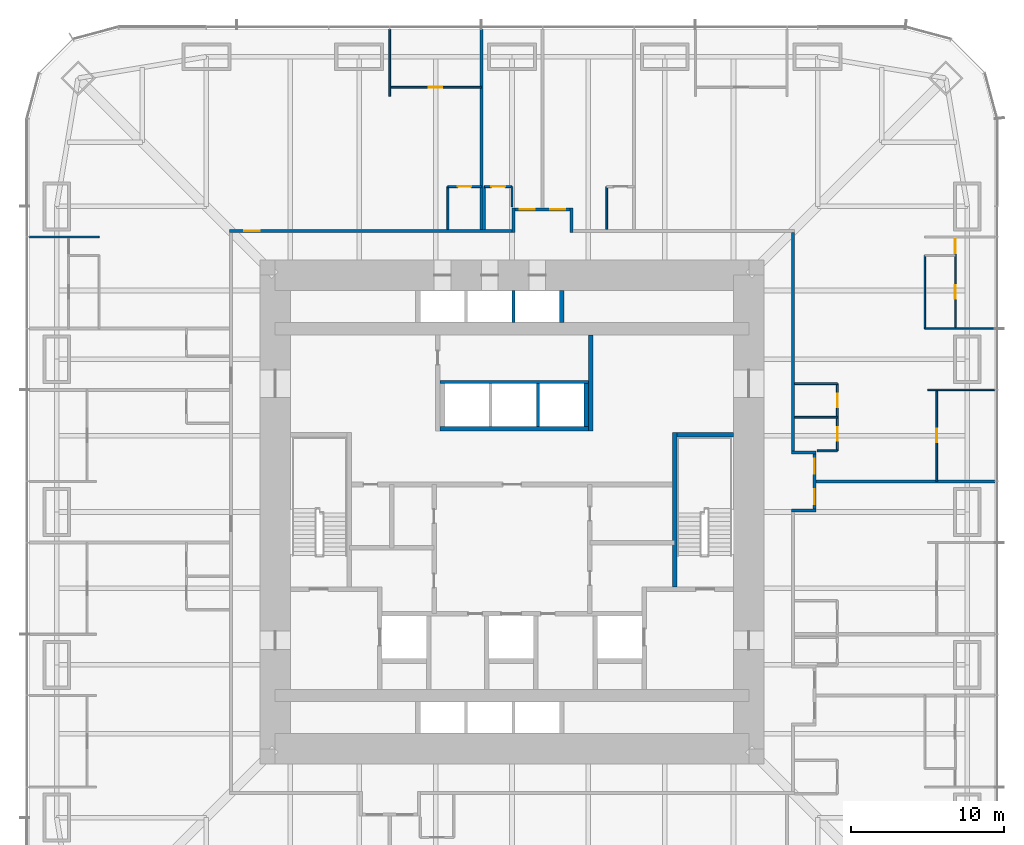
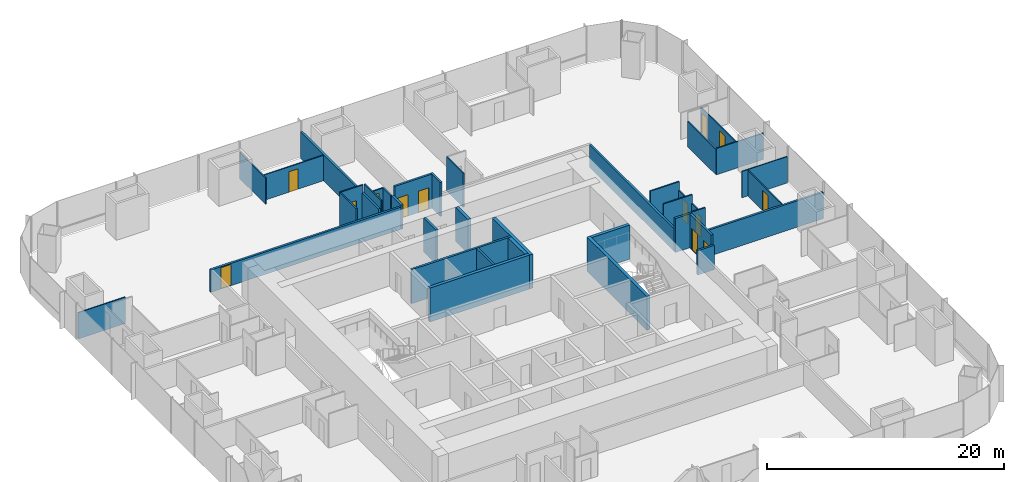
# One storey, part 15 of 17: 37 walls, 13 doors, 13 openings.
"""IFC4 building model written with IfcOpenShell, lengths in metres."""

from ifc_helpers import new_model, si_unit, direction, frame, frame_2d, origin, place, context, subcontext, project, spatial, rectangle, extrude, material, layer, layer_set, type_object, element, fill, save


model = new_model("IFC4")

# Units and contexts
model_context = context("Model", 3, precision=1e-05, world=origin(), true_north=direction((0.0, 1.0)))
body_context = subcontext(model_context, "Body", "Model", "MODEL_VIEW")
ifc_project = project(units=[si_unit("LENGTHUNIT", "METRE"), si_unit("AREAUNIT", "SQUARE_METRE"), si_unit("VOLUMEUNIT", "CUBIC_METRE"), si_unit("PLANEANGLEUNIT", "RADIAN"), si_unit("MASSUNIT", "GRAM", prefix="KILO")], contexts=[model_context])

# Site, building, storey
site_placement = place(None, origin())
site = spatial("IfcSite", under=ifc_project, at=site_placement, CompositionType="ELEMENT")
building_placement = place(site_placement, origin())
building = spatial("IfcBuilding", under=site, at=building_placement, Name="Khuree Lantern Residences", CompositionType="ELEMENT")
storey_placement = place(building_placement, frame((0.0, 0.0, 43.5)))
storey = spatial("IfcBuildingStorey", under=building, at=storey_placement, Name="L10", CompositionType="ELEMENT", Elevation=43.5)

# Wall, openings, doors
ifc_material_1 = material(Name="Moisture-resistant gypsum board on steel studs", Category="steel")
ifc_layer_1 = layer(ifc_material_1, 0.125)
ifc_layer_set_1 = layer_set([ifc_layer_1], Name="BATHROOM WALL BTW125")
wall_type_1 = type_object("IfcWallType", Name="BATHROOM WALL BTW125", PredefinedType="PARTITIONING", material=ifc_layer_set_1)
wall_1_placement = place(storey_placement, frame((21.300048828125, 4.0, 0.0), z_axis=(0.0, 0.0, 1.0), x_axis=(0.0, 1.0, 0.0)))
wall_1 = element("IfcWall", 1, at=wall_1_placement, inside=storey, type_object=wall_type_1, Name="L10 BATHROOM WALL 02", PredefinedType="PARTITIONING", context=body_context, shape_type="SweptSolid", body=[
    extrude(rectangle(XDim=4.39990234375, YDim=0.125, at=frame_2d((2.199951171875, 0.0))), origin(), (0.0, 0.0, 1.0), 2.610107421875),
])
opening_1_placement = place(wall_1_placement, frame((0.64990234375, 0.0, 0.0)))
opening_1 = element("IfcOpeningElement", 2, at=opening_1_placement, cuts=wall_1, Name="Opening 10-029", PredefinedType="OPENING", context=body_context, shape_type="SweptSolid", body=[
    extrude(rectangle(XDim=0.89990234375, YDim=2.10009765625, at=frame_2d((0.449951171875, 1.050048828125))), frame((0.0, 0.072509765625, 0.0), z_axis=(0.0, -1.0, 0.0), x_axis=(1.0, 0.0, 0.0)), (0.0, 0.0, 1.0), 0.14501953125),
])
opening_2_placement = place(wall_1_placement, frame((2.85009765625, 0.0, 0.0)))
opening_2 = element("IfcOpeningElement", 3, at=opening_2_placement, cuts=wall_1, Name="Opening 10-030", PredefinedType="OPENING", context=body_context, shape_type="SweptSolid", body=[
    extrude(rectangle(XDim=0.89990234375, YDim=2.10009765625, at=frame_2d((0.449951171875, 1.050048828125))), frame((0.0, 0.072509765625, 0.0), z_axis=(0.0, -1.0, 0.0), x_axis=(1.0, 0.0, 0.0)), (0.0, 0.0, 1.0), 0.14501953125),
])
ifc_material_2 = material(Name="Timber door leaf in hardwood frame", Category="wood")
door_type_1 = type_object("IfcDoorType", Name="BATHROOM DOOR 900X2100", OperationType="SINGLE_SWING_LEFT", PredefinedType="DOOR", material=ifc_material_2)
door_1_placement = place(opening_1_placement, origin())
door_1 = element("IfcDoor", 4, at=door_1_placement, inside=storey, type_object=door_type_1, Name="Bathroom door 10-029", OperationType="SINGLE_SWING_LEFT", OverallHeight=2.10009765625, OverallWidth=0.89990234375, PredefinedType="DOOR", context=body_context, shape_type="SweptSolid", body=[
    extrude(rectangle(XDim=0.89990234375, YDim=2.10009765625, at=frame_2d((0.449951171875, 1.050048828125))), frame((0.0, 0.02490234375, 0.0), z_axis=(0.0, -1.0, 0.0), x_axis=(1.0, 0.0, 0.0)), (0.0, 0.0, 1.0), 0.050048828125),
])
fill(opening_1, door_1)
door_2_placement = place(opening_2_placement, origin())
door_2 = element("IfcDoor", 5, at=door_2_placement, inside=storey, type_object=door_type_1, Name="Bathroom door 10-030", OperationType="SINGLE_SWING_LEFT", OverallHeight=2.10009765625, OverallWidth=0.89990234375, PredefinedType="DOOR", context=body_context, shape_type="SweptSolid", body=[
    extrude(rectangle(XDim=0.89990234375, YDim=2.10009765625, at=frame_2d((0.449951171875, 1.050048828125))), frame((0.0, 0.02490234375, 0.0), z_axis=(0.0, -1.0, 0.0), x_axis=(1.0, 0.0, 0.0)), (0.0, 0.0, 1.0), 0.050048828125),
])
fill(opening_2, door_2)

# Walls
wall_2_placement = place(storey_placement, frame((19.969970703125, 4.0, 0.0), z_axis=(0.0, 0.0, 1.0), x_axis=(1.0, 0.0, 0.0)))
element("IfcWall", 6, at=wall_2_placement, inside=storey, type_object=wall_type_1, Name="L10 BATHROOM WALL 02", PredefinedType="PARTITIONING", context=body_context, shape_type="SweptSolid", body=[
    extrude(rectangle(XDim=1.330078125, YDim=0.125, at=frame_2d((0.6650390625, 0.0))), origin(), (0.0, 0.0, 1.0), 3.5),
])
for number, where, z_axis, x_axis, name in (
    (7, (18.5, 6.199951171875, 0.0), (0.0, 0.0, 1.0), (1.0, 0.0, 0.0), "L10 BATHROOM WALL 02"),
    (8, (18.5, 8.39990234375, 0.0), (0.0, 0.0, 1.0), (1.0, 0.0, 0.0), "L10 BATHROOM WALL 02"),
    (9, (6.199951171875, 18.5, 0.0), (0.0, 0.0, 1.0), (0.0, 1.0, 0.0), "L10 BATHROOM WALL 03"),
):
    element("IfcWall", number, at=place(storey_placement, frame(where, z_axis=z_axis, x_axis=x_axis)), inside=storey, type_object=wall_type_1, Name=name, PredefinedType="PARTITIONING", context=body_context, shape_type="SweptSolid", body=[
        extrude(rectangle(XDim=2.800048828125, YDim=0.125, at=frame_2d((1.39990234375, 0.0))), origin(), (0.0, 0.0, 1.0), 3.5),
    ])

# Wall, opening, door
wall_3_placement = place(storey_placement, frame((0.0, 21.300048828125, 0.0), z_axis=(0.0, 0.0, 1.0), x_axis=(-1.0, 0.0, 0.0)))
wall_3 = element("IfcWall", 10, at=wall_3_placement, inside=storey, type_object=wall_type_1, Name="L10 BATHROOM WALL 04", PredefinedType="PARTITIONING", context=body_context, shape_type="SweptSolid", body=[
    extrude(rectangle(XDim=1.800048828125, YDim=0.125, at=frame_2d((0.89990234375, 0.0))), origin(), (0.0, 0.0, 1.0), 2.491943359375),
])
opening_3_placement = place(wall_3_placement, frame((0.449951171875, 0.0, 0.0)))
opening_3 = element("IfcOpeningElement", 11, at=opening_3_placement, cuts=wall_3, Name="Opening 10-034", PredefinedType="OPENING", context=body_context, shape_type="SweptSolid", body=[
    extrude(rectangle(XDim=0.89990234375, YDim=2.10009765625, at=frame_2d((0.449951171875, 1.050048828125))), frame((0.0, 0.072509765625, 0.0), z_axis=(0.0, -1.0, 0.0), x_axis=(1.0, 0.0, 0.0)), (0.0, 0.0, 1.0), 0.14501953125),
])
door_3_placement = place(opening_3_placement, origin())
door_3 = element("IfcDoor", 12, at=door_3_placement, inside=storey, type_object=door_type_1, Name="Bathroom door 10-034", OperationType="SINGLE_SWING_LEFT", OverallHeight=2.10009765625, OverallWidth=0.89990234375, PredefinedType="DOOR", context=body_context, shape_type="SweptSolid", body=[
    extrude(rectangle(XDim=0.89990234375, YDim=2.10009765625, at=frame_2d((0.449951171875, 1.050048828125))), frame((0.0, 0.02490234375, 0.0), z_axis=(0.0, -1.0, 0.0), x_axis=(1.0, 0.0, 0.0)), (0.0, 0.0, 1.0), 0.050048828125),
])
fill(opening_3, door_3)

# Walls
wall_4_placement = place(storey_placement, frame((0.0, 19.969970703125, 0.0), z_axis=(0.0, 0.0, 1.0), x_axis=(0.0, 1.0, 0.0)))
element("IfcWall", 13, at=wall_4_placement, inside=storey, type_object=wall_type_1, Name="L10 BATHROOM WALL 04", PredefinedType="PARTITIONING", context=body_context, shape_type="SweptSolid", body=[
    extrude(rectangle(XDim=1.330078125, YDim=0.125, at=frame_2d((0.6650390625, 0.0))), origin(), (0.0, 0.0, 1.0), 2.491943359375),
])
wall_5_placement = place(storey_placement, frame((-1.800048828125, 18.5, 0.0), z_axis=(0.0, 0.0, 1.0), x_axis=(0.0, 1.0, 0.0)))
element("IfcWall", 14, at=wall_5_placement, inside=storey, type_object=wall_type_1, Name="L10 BATHROOM WALL 04", PredefinedType="PARTITIONING", context=body_context, shape_type="SweptSolid", body=[
    extrude(rectangle(XDim=2.800048828125, YDim=0.125, at=frame_2d((1.39990234375, 0.0))), origin(), (0.0, 0.0, 1.0), 3.5),
])

# Wall, opening, door
wall_6_placement = place(storey_placement, frame((-2.0, 21.300048828125, 0.0), z_axis=(0.0, 0.0, 1.0), x_axis=(-1.0, 0.0, 0.0)))
wall_6 = element("IfcWall", 15, at=wall_6_placement, inside=storey, type_object=wall_type_1, Name="L10 BATHROOM WALL 05", PredefinedType="PARTITIONING", context=body_context, shape_type="SweptSolid", body=[
    extrude(rectangle(XDim=2.199951171875, YDim=0.125, at=frame_2d((1.10009765625, 0.0))), origin(), (0.0, 0.0, 1.0), 3.5),
])
opening_4_placement = place(wall_6_placement, frame((0.64990234375, 0.0, 0.0)))
opening_4 = element("IfcOpeningElement", 16, at=opening_4_placement, cuts=wall_6, Name="Opening 10-039", PredefinedType="OPENING", context=body_context, shape_type="SweptSolid", body=[
    extrude(rectangle(XDim=0.89990234375, YDim=2.10009765625, at=frame_2d((0.449951171875, 1.050048828125))), frame((0.0, 0.072509765625, 0.0), z_axis=(0.0, -1.0, 0.0), x_axis=(1.0, 0.0, 0.0)), (0.0, 0.0, 1.0), 0.14501953125),
])
door_4_placement = place(opening_4_placement, origin())
door_4 = element("IfcDoor", 17, at=door_4_placement, inside=storey, type_object=door_type_1, Name="Bathroom door 10-039", OperationType="SINGLE_SWING_LEFT", OverallHeight=2.10009765625, OverallWidth=0.89990234375, PredefinedType="DOOR", context=body_context, shape_type="SweptSolid", body=[
    extrude(rectangle(XDim=0.89990234375, YDim=2.10009765625, at=frame_2d((0.449951171875, 1.050048828125))), frame((0.0, 0.02490234375, 0.0), z_axis=(0.0, -1.0, 0.0), x_axis=(1.0, 0.0, 0.0)), (0.0, 0.0, 1.0), 0.050048828125),
])
fill(opening_4, door_4)

# Walls
wall_7_placement = place(storey_placement, frame((-4.199951171875, 18.5, 0.0), z_axis=(0.0, 0.0, 1.0), x_axis=(0.0, 1.0, 0.0)))
element("IfcWall", 18, at=wall_7_placement, inside=storey, type_object=wall_type_1, Name="L10 BATHROOM WALL 05", PredefinedType="PARTITIONING", context=body_context, shape_type="SweptSolid", body=[
    extrude(rectangle(XDim=2.800048828125, YDim=0.125, at=frame_2d((1.39990234375, 0.0))), origin(), (0.0, 0.0, 1.0), 3.5),
])
ifc_material_3 = material(Name="Dense concrete blockwork", Category="masonry")
ifc_layer_2 = layer(ifc_material_3, 0.300048828125)
ifc_layer_set_2 = layer_set([ifc_layer_2], Name="CORE PARTITION WALL CPW300 EI 120")
wall_type_2 = type_object("IfcWallType", Name="CORE PARTITION WALL CPW300 EI 120", PredefinedType="PARTITIONING", material=ifc_layer_set_2)
wall_8_placement = place(storey_placement, frame((-4.699951171875, 5.449951171875, 0.0), z_axis=(0.0, 0.0, 1.0), x_axis=(1.0, 0.0, 0.0)))
element("IfcWall", 19, at=wall_8_placement, inside=storey, type_object=wall_type_2, Name="L10 CORE WALL PHS", PredefinedType="PARTITIONING", context=body_context, shape_type="SweptSolid", body=[
    extrude(rectangle(XDim=9.699951171875, YDim=0.300048828125, at=frame_2d((4.85009765625, 0.0))), origin(), (0.0, 0.0, 1.0), 3.5),
])
wall_9_placement = place(storey_placement, frame((4.85009765625, 5.60009765625, 0.0), z_axis=(0.0, 0.0, 1.0), x_axis=(0.0, 1.0, 0.0)))
element("IfcWall", 20, at=wall_9_placement, inside=storey, type_object=wall_type_2, Name="L10 CORE WALL PHE", PredefinedType="PARTITIONING", context=body_context, shape_type="SweptSolid", body=[
    extrude(rectangle(XDim=2.7998046875, YDim=0.300048828125, at=frame_2d((1.39990234375, 0.0))), origin(), (0.0, 0.0, 1.0), 3.5),
])
wall_10_placement = place(storey_placement, frame((3.25, 12.39990234375, 0.0), z_axis=(0.0, 0.0, 1.0), x_axis=(0.0, 1.0, 0.0)))
element("IfcWall", 21, at=wall_10_placement, inside=storey, type_object=wall_type_2, Name="L10 CORE WALL PLE", PredefinedType="PARTITIONING", context=body_context, shape_type="SweptSolid", body=[
    extrude(rectangle(XDim=2.10009765625, YDim=0.300048828125, at=frame_2d((1.050048828125, 0.0))), origin(), (0.0, 0.0, 1.0), 3.5),
])
wall_11_placement = place(storey_placement, frame((5.14990234375, 5.300048828125, 0.0), z_axis=(0.0, 0.0, 1.0), x_axis=(0.0, 1.0, 0.0)))
element("IfcWall", 22, at=wall_11_placement, inside=storey, type_object=wall_type_2, Name="L10 CORE WALL NE", PredefinedType="PARTITIONING", context=body_context, shape_type="SweptSolid", body=[
    extrude(rectangle(XDim=6.300048828125, YDim=0.300048828125, at=frame_2d((3.14990234375, 0.0))), origin(), (0.0, 0.0, 1.0), 3.5),
])
ifc_material_4 = material(Name="Gypsum board on steel studs", Category="steel")
ifc_layer_3 = layer(ifc_material_4, 0.199951171875)
ifc_layer_set_3 = layer_set([ifc_layer_3], Name="CORRIDOR WALL CRW200 EI 60")
wall_type_3 = type_object("IfcWallType", Name="CORRIDOR WALL CRW200 EI 60", PredefinedType="PARTITIONING", material=ifc_layer_set_3)
wall_12_placement = place(storey_placement, frame((18.300048828125, 0.10009765625, 0.0), z_axis=(0.0, 0.0, 1.0), x_axis=(1.0, 0.0, 0.0)))
element("IfcWall", 23, at=wall_12_placement, inside=storey, type_object=wall_type_3, Name="L10 CORRIDOR ALCOVE WALL EAST", PredefinedType="PARTITIONING", context=body_context, shape_type="SweptSolid", body=[
    extrude(rectangle(XDim=1.599853515625, YDim=0.199951171875, at=frame_2d((0.7998046875, 0.0))), origin(), (0.0, 0.0, 1.0), 2.491943359375),
])
wall_13_placement = place(storey_placement, frame((18.300048828125, 3.89990234375, 0.0), z_axis=(0.0, 0.0, 1.0), x_axis=(1.0, 0.0, 0.0)))
element("IfcWall", 24, at=wall_13_placement, inside=storey, type_object=wall_type_3, Name="L10 CORRIDOR ALCOVE WALL EAST", PredefinedType="PARTITIONING", context=body_context, shape_type="SweptSolid", body=[
    extrude(rectangle(XDim=1.599853515625, YDim=0.199951171875, at=frame_2d((0.7998046875, 0.0))), origin(), (0.0, 0.0, 1.0), 3.5),
])

# Wall, openings, doors
wall_14_placement = place(storey_placement, frame((19.800048828125, 0.199951171875, 0.0), z_axis=(0.0, 0.0, 1.0), x_axis=(0.0, 1.0, 0.0)))
wall_14 = element("IfcWall", 25, at=wall_14_placement, inside=storey, type_object=wall_type_3, Name="L10 CORRIDOR ALCOVE WALL EAST", PredefinedType="PARTITIONING", context=body_context, shape_type="SweptSolid", body=[
    extrude(rectangle(XDim=3.60009765625, YDim=0.199951171875, at=frame_2d((1.800048828125, 0.0))), origin(), (0.0, 0.0, 1.0), 3.5),
])
opening_5_placement = place(wall_14_placement, frame((0.300048828125, 0.0, 0.0)))
opening_5 = element("IfcOpeningElement", 26, at=opening_5_placement, cuts=wall_14, Name="Opening 10-024", PredefinedType="OPENING", context=body_context, shape_type="SweptSolid", body=[
    extrude(rectangle(XDim=1.0, YDim=2.199951171875, at=frame_2d((0.5, 1.10009765625))), frame((0.0, 0.10986328125, 0.0), z_axis=(0.0, -1.0, 0.0), x_axis=(1.0, 0.0, 0.0)), (0.0, 0.0, 1.0), 0.219970703125),
])
opening_6_placement = place(wall_14_placement, frame((2.300048828125, 0.0, 0.0)))
opening_6 = element("IfcOpeningElement", 27, at=opening_6_placement, cuts=wall_14, Name="Opening 10-031", PredefinedType="OPENING", context=body_context, shape_type="SweptSolid", body=[
    extrude(rectangle(XDim=1.0, YDim=2.199951171875, at=frame_2d((0.5, 1.10009765625))), frame((0.0, 0.10986328125, 0.0), z_axis=(0.0, -1.0, 0.0), x_axis=(1.0, 0.0, 0.0)), (0.0, 0.0, 1.0), 0.219970703125),
])
door_type_2 = type_object("IfcDoorType", Name="APARTMENT ENTRANCE DOOR 1000X2200 EI 30S", OperationType="SINGLE_SWING_LEFT", PredefinedType="DOOR", material=ifc_material_2)
door_5_placement = place(opening_5_placement, origin())
door_5 = element("IfcDoor", 28, at=door_5_placement, inside=storey, type_object=door_type_2, Name="Apartment 01 entrance door 10-024", OperationType="SINGLE_SWING_LEFT", OverallHeight=2.199951171875, OverallWidth=1.0, PredefinedType="DOOR", context=body_context, shape_type="SweptSolid", body=[
    extrude(rectangle(XDim=1.0, YDim=2.199951171875, at=frame_2d((0.5, 1.10009765625))), frame((0.0, 0.02490234375, 0.0), z_axis=(0.0, -1.0, 0.0), x_axis=(1.0, 0.0, 0.0)), (0.0, 0.0, 1.0), 0.050048828125),
])
fill(opening_5, door_5)
door_type_3 = type_object("IfcDoorType", Name="APARTMENT ENTRANCE DOOR 1000X2200 EI 30S RIGHT HAND", OperationType="SINGLE_SWING_RIGHT", PredefinedType="DOOR", material=ifc_material_2)
door_6_placement = place(opening_6_placement, origin())
door_6 = element("IfcDoor", 29, at=door_6_placement, inside=storey, type_object=door_type_3, Name="Apartment 02 entrance door 10-031", OperationType="SINGLE_SWING_RIGHT", OverallHeight=2.199951171875, OverallWidth=1.0, PredefinedType="DOOR", context=body_context, shape_type="SweptSolid", body=[
    extrude(rectangle(XDim=1.0, YDim=2.199951171875, at=frame_2d((0.5, 1.10009765625))), frame((0.0, 0.02490234375, 0.0), z_axis=(0.0, -1.0, 0.0), x_axis=(1.0, 0.0, 0.0)), (0.0, 0.0, 1.0), 0.050048828125),
])
fill(opening_6, door_6)

# Wall
wall_15_placement = place(storey_placement, frame((18.39990234375, 4.0, 0.0), z_axis=(0.0, 0.0, 1.0), x_axis=(0.0, 1.0, 0.0)))
element("IfcWall", 30, at=wall_15_placement, inside=storey, type_object=wall_type_3, Name="L10 CORRIDOR WALL EAST 3", PredefinedType="PARTITIONING", context=body_context, shape_type="SweptSolid", body=[
    extrude(rectangle(XDim=14.300048828125, YDim=0.199951171875, at=frame_2d((7.14990234375, 0.0))), origin(), (0.0, 0.0, 1.0), 2.300048828125),
])

# Wall, opening, door
wall_16_placement = place(storey_placement, frame((-18.5, 18.39990234375, 0.0), z_axis=(0.0, 0.0, 1.0), x_axis=(1.0, 0.0, 0.0)))
wall_16 = element("IfcWall", 31, at=wall_16_placement, inside=storey, type_object=wall_type_3, Name="L10 CORRIDOR WALL NORTH 1", PredefinedType="PARTITIONING", context=body_context, shape_type="SweptSolid", body=[
    extrude(rectangle(XDim=18.5, YDim=0.199951171875, at=frame_2d((9.25, 0.0))), origin(), (0.0, 0.0, 1.0), 2.300048828125),
])
opening_7_placement = place(wall_16_placement, frame((0.97998046875, 0.0, 0.0)))
opening_7 = element("IfcOpeningElement", 32, at=opening_7_placement, cuts=wall_16, Name="Opening 10-040", PredefinedType="OPENING", context=body_context, shape_type="SweptSolid", body=[
    extrude(rectangle(XDim=1.0, YDim=2.199951171875, at=frame_2d((0.5, 1.10009765625))), frame((0.0, 0.10986328125, 0.0), z_axis=(0.0, -1.0, 0.0), x_axis=(1.0, 0.0, 0.0)), (0.0, 0.0, 1.0), 0.219970703125),
])
door_7_placement = place(opening_7_placement, origin())
door_7 = element("IfcDoor", 33, at=door_7_placement, inside=storey, type_object=door_type_2, Name="Apartment 05 entrance door 10-040", OperationType="SINGLE_SWING_LEFT", OverallHeight=2.199951171875, OverallWidth=1.0, PredefinedType="DOOR", context=body_context, shape_type="SweptSolid", body=[
    extrude(rectangle(XDim=1.0, YDim=2.199951171875, at=frame_2d((0.5, 1.10009765625))), frame((0.0, 0.02490234375, 0.0), z_axis=(0.0, -1.0, 0.0), x_axis=(1.0, 0.0, 0.0)), (0.0, 0.0, 1.0), 0.050048828125),
])
fill(opening_7, door_7)

# Walls
wall_17_placement = place(storey_placement, frame((0.10009765625, 18.300048828125, 0.0), z_axis=(0.0, 0.0, 1.0), x_axis=(0.0, 1.0, 0.0)))
element("IfcWall", 34, at=wall_17_placement, inside=storey, type_object=wall_type_3, Name="L10 CORRIDOR ALCOVE WALL NORTH", PredefinedType="PARTITIONING", context=body_context, shape_type="SweptSolid", body=[
    extrude(rectangle(XDim=1.599853515625, YDim=0.199951171875, at=frame_2d((0.7998046875, 0.0))), origin(), (0.0, 0.0, 1.0), 2.491943359375),
])
wall_18_placement = place(storey_placement, frame((3.89990234375, 18.300048828125, 0.0), z_axis=(0.0, 0.0, 1.0), x_axis=(0.0, 1.0, 0.0)))
element("IfcWall", 35, at=wall_18_placement, inside=storey, type_object=wall_type_3, Name="L10 CORRIDOR ALCOVE WALL NORTH", PredefinedType="PARTITIONING", context=body_context, shape_type="SweptSolid", body=[
    extrude(rectangle(XDim=1.599853515625, YDim=0.199951171875, at=frame_2d((0.7998046875, 0.0))), origin(), (0.0, 0.0, 1.0), 3.5),
])

# Wall, openings, doors
wall_19_placement = place(storey_placement, frame((0.199951171875, 19.800048828125, 0.0), z_axis=(0.0, 0.0, 1.0), x_axis=(1.0, 0.0, 0.0)))
wall_19 = element("IfcWall", 36, at=wall_19_placement, inside=storey, type_object=wall_type_3, Name="L10 CORRIDOR ALCOVE WALL NORTH", PredefinedType="PARTITIONING", context=body_context, shape_type="SweptSolid", body=[
    extrude(rectangle(XDim=3.60009765625, YDim=0.199951171875, at=frame_2d((1.800048828125, 0.0))), origin(), (0.0, 0.0, 1.0), 3.5),
])
opening_8_placement = place(wall_19_placement, frame((2.300048828125, 0.0, 0.0)))
opening_8 = element("IfcOpeningElement", 37, at=opening_8_placement, cuts=wall_19, Name="Opening 10-033", PredefinedType="OPENING", context=body_context, shape_type="SweptSolid", body=[
    extrude(rectangle(XDim=1.0, YDim=2.199951171875, at=frame_2d((0.5, 1.10009765625))), frame((0.0, 0.10986328125, 0.0), z_axis=(0.0, -1.0, 0.0), x_axis=(1.0, 0.0, 0.0)), (0.0, 0.0, 1.0), 0.219970703125),
])
opening_9_placement = place(wall_19_placement, frame((0.300048828125, 0.0, 0.0)))
opening_9 = element("IfcOpeningElement", 38, at=opening_9_placement, cuts=wall_19, Name="Opening 10-035", PredefinedType="OPENING", context=body_context, shape_type="SweptSolid", body=[
    extrude(rectangle(XDim=1.0, YDim=2.199951171875, at=frame_2d((0.5, 1.10009765625))), frame((0.0, 0.10986328125, 0.0), z_axis=(0.0, -1.0, 0.0), x_axis=(1.0, 0.0, 0.0)), (0.0, 0.0, 1.0), 0.219970703125),
])
door_8_placement = place(opening_8_placement, origin())
door_8 = element("IfcDoor", 39, at=door_8_placement, inside=storey, type_object=door_type_2, Name="Apartment 03 entrance door 10-033", OperationType="SINGLE_SWING_LEFT", OverallHeight=2.199951171875, OverallWidth=1.0, PredefinedType="DOOR", context=body_context, shape_type="SweptSolid", body=[
    extrude(rectangle(XDim=1.0, YDim=2.199951171875, at=frame_2d((0.5, 1.10009765625))), frame((0.0, 0.02490234375, 0.0), z_axis=(0.0, -1.0, 0.0), x_axis=(1.0, 0.0, 0.0)), (0.0, 0.0, 1.0), 0.050048828125),
])
fill(opening_8, door_8)
door_9_placement = place(opening_9_placement, origin())
door_9 = element("IfcDoor", 40, at=door_9_placement, inside=storey, type_object=door_type_2, Name="Apartment 04 entrance door 10-035", OperationType="SINGLE_SWING_LEFT", OverallHeight=2.199951171875, OverallWidth=1.0, PredefinedType="DOOR", context=body_context, shape_type="SweptSolid", body=[
    extrude(rectangle(XDim=1.0, YDim=2.199951171875, at=frame_2d((0.5, 1.10009765625))), frame((0.0, 0.02490234375, 0.0), z_axis=(0.0, -1.0, 0.0), x_axis=(1.0, 0.0, 0.0)), (0.0, 0.0, 1.0), 0.050048828125),
])
fill(opening_9, door_9)

# Walls
ifc_layer_4 = layer(ifc_material_4, 0.199951171875)
ifc_layer_set_4 = layer_set([ifc_layer_4], Name="DEMISING WALL DMW200 EI 90")
wall_type_4 = type_object("IfcWallType", Name="DEMISING WALL DMW200 EI 90", PredefinedType="PARTITIONING", material=ifc_layer_set_4)
wall_20_placement = place(storey_placement, frame((19.89990234375, 2.0, 0.0), z_axis=(0.0, 0.0, 1.0), x_axis=(1.0, 0.0, 0.0)))
element("IfcWall", 41, at=wall_20_placement, inside=storey, type_object=wall_type_4, Name="L10 DEMISING WALL 02", PredefinedType="PARTITIONING", context=body_context, shape_type="SweptSolid", body=[
    extrude(rectangle(XDim=11.7001953125, YDim=0.199951171875, at=frame_2d((5.85009765625, 0.0))), origin(), (0.0, 0.0, 1.0), 2.7099609375),
])
wall_21_placement = place(storey_placement, frame((-2.0, 18.5, 0.0), z_axis=(0.0, 0.0, 1.0), x_axis=(0.0, 1.0, 0.0)))
element("IfcWall", 42, at=wall_21_placement, inside=storey, type_object=wall_type_4, Name="L10 DEMISING WALL 05", PredefinedType="PARTITIONING", context=body_context, shape_type="SweptSolid", body=[
    extrude(rectangle(XDim=13.10009765625, YDim=0.199951171875, at=frame_2d((6.550048828125, 0.0))), origin(), (0.0, 0.0, 1.0), 2.7099609375),
])
ifc_layer_5 = layer(ifc_material_4, 0.10009765625)
ifc_layer_set_5 = layer_set([ifc_layer_5], Name="PARTITION PT100")
wall_type_5 = type_object("IfcWallType", Name="PARTITION PT100", PredefinedType="PARTITIONING", material=ifc_layer_set_5)
wall_22_placement = place(storey_placement, frame((27.199951171875, 8.0, 0.0), z_axis=(0.0, 0.0, 1.0), x_axis=(1.0, 0.0, 0.0)))
element("IfcWall", 43, at=wall_22_placement, inside=storey, type_object=wall_type_5, Name="L10 PARTITION 02", PredefinedType="PARTITIONING", context=body_context, shape_type="SweptSolid", body=[
    extrude(rectangle(XDim=4.400146484375, YDim=0.10009765625, at=frame_2d((2.2001953125, 0.0))), origin(), (0.0, 0.0, 1.0), 2.7099609375),
])
wall_23_placement = place(storey_placement, frame((27.0166015625, 12.0, 0.0), z_axis=(0.0, 0.0, 1.0), x_axis=(1.0, 0.0, 0.0)))
element("IfcWall", 44, at=wall_23_placement, inside=storey, type_object=wall_type_5, Name="L10 PARTITION 02", PredefinedType="PARTITIONING", context=body_context, shape_type="SweptSolid", body=[
    extrude(rectangle(XDim=4.58349609375, YDim=0.10009765625, at=frame_2d((2.291748046875, 0.0))), origin(), (0.0, 0.0, 1.0), 2.7099609375),
])
wall_24_placement = place(storey_placement, frame((-8.0, 27.199951171875, 0.0), z_axis=(0.0, 0.0, 1.0), x_axis=(0.0, 1.0, 0.0)))
element("IfcWall", 45, at=wall_24_placement, inside=storey, type_object=wall_type_5, Name="L10 PARTITION 05", PredefinedType="PARTITIONING", context=body_context, shape_type="SweptSolid", body=[
    extrude(rectangle(XDim=4.400146484375, YDim=0.10009765625, at=frame_2d((2.2001953125, 0.0))), origin(), (0.0, 0.0, 1.0), 2.7099609375),
])
wall_25_placement = place(storey_placement, frame((-27.0166015625, 18.0, 0.0), z_axis=(0.0, 0.0, 1.0), x_axis=(-1.0, 0.0, 0.0)))
element("IfcWall", 46, at=wall_25_placement, inside=storey, type_object=wall_type_5, Name="L10 PARTITION 05", PredefinedType="PARTITIONING", context=body_context, shape_type="SweptSolid", body=[
    extrude(rectangle(XDim=4.58349609375, YDim=0.10009765625, at=frame_2d((2.291748046875, 0.0))), origin(), (0.0, 0.0, 1.0), 2.7099609375),
])

# Wall, opening, door
wall_26_placement = place(storey_placement, frame((27.800048828125, 2.0, 0.0), z_axis=(0.0, 0.0, 1.0), x_axis=(0.0, 1.0, 0.0)))
wall_26 = element("IfcWall", 47, at=wall_26_placement, inside=storey, type_object=wall_type_5, Name="L10 PARTITION 02", PredefinedType="PARTITIONING", context=body_context, shape_type="SweptSolid", body=[
    extrude(rectangle(XDim=6.0, YDim=0.10009765625, at=frame_2d((3.0, 0.0))), origin(), (0.0, 0.0, 1.0), 2.610107421875),
])
opening_10_placement = place(wall_26_placement, frame((2.550048828125, 0.0, 0.0)))
opening_10 = element("IfcOpeningElement", 48, at=opening_10_placement, cuts=wall_26, Name="Opening 10-025", PredefinedType="OPENING", context=body_context, shape_type="SweptSolid", body=[
    extrude(rectangle(XDim=0.89990234375, YDim=2.10009765625, at=frame_2d((0.449951171875, 1.050048828125))), frame((0.0, 0.06005859375, 0.0), z_axis=(0.0, -1.0, 0.0), x_axis=(1.0, 0.0, 0.0)), (0.0, 0.0, 1.0), 0.1201171875),
])
door_type_4 = type_object("IfcDoorType", Name="BEDROOM DOOR 900X2100", OperationType="SINGLE_SWING_LEFT", PredefinedType="DOOR", material=ifc_material_2)
door_10_placement = place(opening_10_placement, origin())
door_10 = element("IfcDoor", 49, at=door_10_placement, inside=storey, type_object=door_type_4, Name="Bedroom door 10-025", OperationType="SINGLE_SWING_LEFT", OverallHeight=2.10009765625, OverallWidth=0.89990234375, PredefinedType="DOOR", context=body_context, shape_type="SweptSolid", body=[
    extrude(rectangle(XDim=0.89990234375, YDim=2.10009765625, at=frame_2d((0.449951171875, 1.050048828125))), frame((0.0, 0.02490234375, 0.0), z_axis=(0.0, -1.0, 0.0), x_axis=(1.0, 0.0, 0.0)), (0.0, 0.0, 1.0), 0.050048828125),
])
fill(opening_10, door_10)

# Wall, openings, doors
wall_27_placement = place(storey_placement, frame((29.0166015625, 12.0, 0.0), z_axis=(0.0, 0.0, 1.0), x_axis=(0.0, 1.0, 0.0)))
wall_27 = element("IfcWall", 50, at=wall_27_placement, inside=storey, type_object=wall_type_5, Name="L10 PARTITION 02", PredefinedType="PARTITIONING", context=body_context, shape_type="SweptSolid", body=[
    extrude(rectangle(XDim=6.0, YDim=0.10009765625, at=frame_2d((3.0, 0.0))), origin(), (0.0, 0.0, 1.0), 2.610107421875),
])
opening_11_placement = place(wall_27_placement, frame((4.949951171875, 0.0, 0.0)))
opening_11 = element("IfcOpeningElement", 51, at=opening_11_placement, cuts=wall_27, Name="Opening 10-026", PredefinedType="OPENING", context=body_context, shape_type="SweptSolid", body=[
    extrude(rectangle(XDim=0.89990234375, YDim=2.10009765625, at=frame_2d((0.449951171875, 1.050048828125))), frame((0.0, 0.06005859375, 0.0), z_axis=(0.0, -1.0, 0.0), x_axis=(1.0, 0.0, 0.0)), (0.0, 0.0, 1.0), 0.1201171875),
])
opening_12_placement = place(wall_27_placement, frame((1.949951171875, 0.0, 0.0)))
opening_12 = element("IfcOpeningElement", 52, at=opening_12_placement, cuts=wall_27, Name="Opening 10-027", PredefinedType="OPENING", context=body_context, shape_type="SweptSolid", body=[
    extrude(rectangle(XDim=0.89990234375, YDim=2.10009765625, at=frame_2d((0.449951171875, 1.050048828125))), frame((0.0, 0.06005859375, 0.0), z_axis=(0.0, -1.0, 0.0), x_axis=(1.0, 0.0, 0.0)), (0.0, 0.0, 1.0), 0.1201171875),
])
door_11_placement = place(opening_11_placement, origin())
door_11 = element("IfcDoor", 53, at=door_11_placement, inside=storey, type_object=door_type_4, Name="Bedroom door 10-026", OperationType="SINGLE_SWING_LEFT", OverallHeight=2.10009765625, OverallWidth=0.89990234375, PredefinedType="DOOR", context=body_context, shape_type="SweptSolid", body=[
    extrude(rectangle(XDim=0.89990234375, YDim=2.10009765625, at=frame_2d((0.449951171875, 1.050048828125))), frame((0.0, 0.02490234375, 0.0), z_axis=(0.0, -1.0, 0.0), x_axis=(1.0, 0.0, 0.0)), (0.0, 0.0, 1.0), 0.050048828125),
])
fill(opening_11, door_11)
door_type_5 = type_object("IfcDoorType", Name="DOOR 900X2100", OperationType="SINGLE_SWING_LEFT", PredefinedType="DOOR", material=ifc_material_2)
door_12_placement = place(opening_12_placement, origin())
door_12 = element("IfcDoor", 54, at=door_12_placement, inside=storey, type_object=door_type_5, Name="Wardrobe door 10-027", OperationType="SINGLE_SWING_LEFT", OverallHeight=2.10009765625, OverallWidth=0.89990234375, PredefinedType="DOOR", context=body_context, shape_type="SweptSolid", body=[
    extrude(rectangle(XDim=0.89990234375, YDim=2.10009765625, at=frame_2d((0.449951171875, 1.050048828125))), frame((0.0, 0.02490234375, 0.0), z_axis=(0.0, -1.0, 0.0), x_axis=(1.0, 0.0, 0.0)), (0.0, 0.0, 1.0), 0.050048828125),
])
fill(opening_12, door_12)

# Wall
wall_28_placement = place(storey_placement, frame((27.0166015625, 12.0, 0.0), z_axis=(0.0, 0.0, 1.0), x_axis=(0.0, 1.0, 0.0)))
element("IfcWall", 55, at=wall_28_placement, inside=storey, type_object=wall_type_5, Name="L10 PARTITION 02", PredefinedType="PARTITIONING", context=body_context, shape_type="SweptSolid", body=[
    extrude(rectangle(XDim=4.800048828125, YDim=0.10009765625, at=frame_2d((2.39990234375, 0.0))), origin(), (0.0, 0.0, 1.0), 2.610107421875),
])

# Wall, opening, door
wall_29_placement = place(storey_placement, frame((-2.0, 27.800048828125, 0.0), z_axis=(0.0, 0.0, 1.0), x_axis=(-1.0, 0.0, 0.0)))
wall_29 = element("IfcWall", 56, at=wall_29_placement, inside=storey, type_object=wall_type_5, Name="L10 PARTITION 05", PredefinedType="PARTITIONING", context=body_context, shape_type="SweptSolid", body=[
    extrude(rectangle(XDim=6.0, YDim=0.10009765625, at=frame_2d((3.0, 0.0))), origin(), (0.0, 0.0, 1.0), 2.610107421875),
])
opening_13_placement = place(wall_29_placement, frame((2.550048828125, 0.0, 0.0)))
opening_13 = element("IfcOpeningElement", 57, at=opening_13_placement, cuts=wall_29, Name="Opening 10-036", PredefinedType="OPENING", context=body_context, shape_type="SweptSolid", body=[
    extrude(rectangle(XDim=0.89990234375, YDim=2.10009765625, at=frame_2d((0.449951171875, 1.050048828125))), frame((0.0, 0.06005859375, 0.0), z_axis=(0.0, -1.0, 0.0), x_axis=(1.0, 0.0, 0.0)), (0.0, 0.0, 1.0), 0.1201171875),
])
door_13_placement = place(opening_13_placement, origin())
door_13 = element("IfcDoor", 58, at=door_13_placement, inside=storey, type_object=door_type_4, Name="Bedroom door 10-036", OperationType="SINGLE_SWING_LEFT", OverallHeight=2.10009765625, OverallWidth=0.89990234375, PredefinedType="DOOR", context=body_context, shape_type="SweptSolid", body=[
    extrude(rectangle(XDim=0.89990234375, YDim=2.10009765625, at=frame_2d((0.449951171875, 1.050048828125))), frame((0.0, 0.02490234375, 0.0), z_axis=(0.0, -1.0, 0.0), x_axis=(1.0, 0.0, 0.0)), (0.0, 0.0, 1.0), 0.050048828125),
])
fill(opening_13, door_13)

# Walls
ifc_layer_6 = layer(ifc_material_3, 0.199951171875)
ifc_layer_set_6 = layer_set([ifc_layer_6], Name="SHAFT WALL SHW200 EI 120")
wall_type_6 = type_object("IfcWallType", Name="SHAFT WALL SHW200 EI 120", PredefinedType="PARTITIONING", material=ifc_layer_set_6)
wall_30_placement = place(storey_placement, frame((-4.699951171875, 8.5, 0.0), z_axis=(0.0, 0.0, 1.0), x_axis=(1.0, 0.0, 0.0)))
element("IfcWall", 59, at=wall_30_placement, inside=storey, type_object=wall_type_6, Name="L10 CORE WALL PHN", PredefinedType="PARTITIONING", context=body_context, shape_type="SweptSolid", body=[
    extrude(rectangle(XDim=9.699951171875, YDim=0.199951171875, at=frame_2d((4.85009765625, 0.0))), origin(), (0.0, 0.0, 1.0), 3.5),
])
wall_31_placement = place(storey_placement, frame((1.699951171875, 5.60009765625, 0.0), z_axis=(0.0, 0.0, 1.0), x_axis=(0.0, 1.0, 0.0)))
element("IfcWall", 60, at=wall_31_placement, inside=storey, type_object=wall_type_6, Name="L10 CORE WALL PHD2", PredefinedType="PARTITIONING", context=body_context, shape_type="SweptSolid", body=[
    extrude(rectangle(XDim=2.7998046875, YDim=0.199951171875, at=frame_2d((1.39990234375, 0.0))), origin(), (0.0, 0.0, 1.0), 3.5),
])
wall_32_placement = place(storey_placement, frame((0.10009765625, 12.39990234375, 0.0), z_axis=(0.0, 0.0, 1.0), x_axis=(0.0, 1.0, 0.0)))
element("IfcWall", 61, at=wall_32_placement, inside=storey, type_object=wall_type_6, Name="L10 CORE WALL PLD2", PredefinedType="PARTITIONING", context=body_context, shape_type="SweptSolid", body=[
    extrude(rectangle(XDim=2.10009765625, YDim=0.199951171875, at=frame_2d((1.050048828125, 0.0))), origin(), (0.0, 0.0, 1.0), 3.5),
])
ifc_material_5 = material(Name="Concrete C50/60", Category="concrete")
ifc_layer_7 = layer(ifc_material_5, 0.300048828125)
ifc_layer_set_7 = layer_set([ifc_layer_7], Name="STAIR WALL SRW300 C50/60 REI 240")
wall_type_7 = type_object("IfcWallType", Name="STAIR WALL SRW300 C50/60 REI 240", PredefinedType="SOLIDWALL", material=ifc_layer_set_7)
wall_33_placement = place(storey_placement, frame((10.64990234375, -4.89990234375, 0.0), z_axis=(0.0, 0.0, 1.0), x_axis=(0.0, 1.0, 0.0)))
element("IfcWall", 62, at=wall_33_placement, inside=storey, type_object=wall_type_7, Name="L10 STAIR WALL ST2E", PredefinedType="SOLIDWALL", context=body_context, shape_type="SweptSolid", body=[
    extrude(rectangle(XDim=10.099853515625, YDim=0.300048828125, at=frame_2d((5.0498046875, 0.0))), origin(), (0.0, 0.0, 1.0), 3.5),
])
wall_34_placement = place(storey_placement, frame((14.5, 5.050048828125, 0.0), z_axis=(0.0, 0.0, 1.0), x_axis=(-1.0, 0.0, 0.0)))
element("IfcWall", 63, at=wall_34_placement, inside=storey, type_object=wall_type_7, Name="L10 STAIR WALL ST2N", PredefinedType="SOLIDWALL", context=body_context, shape_type="SweptSolid", body=[
    extrude(rectangle(XDim=3.699951171875, YDim=0.300048828125, at=frame_2d((1.85009765625, 0.0))), origin(), (0.0, 0.0, 1.0), 3.5),
])

save(model, "model.ifc")
